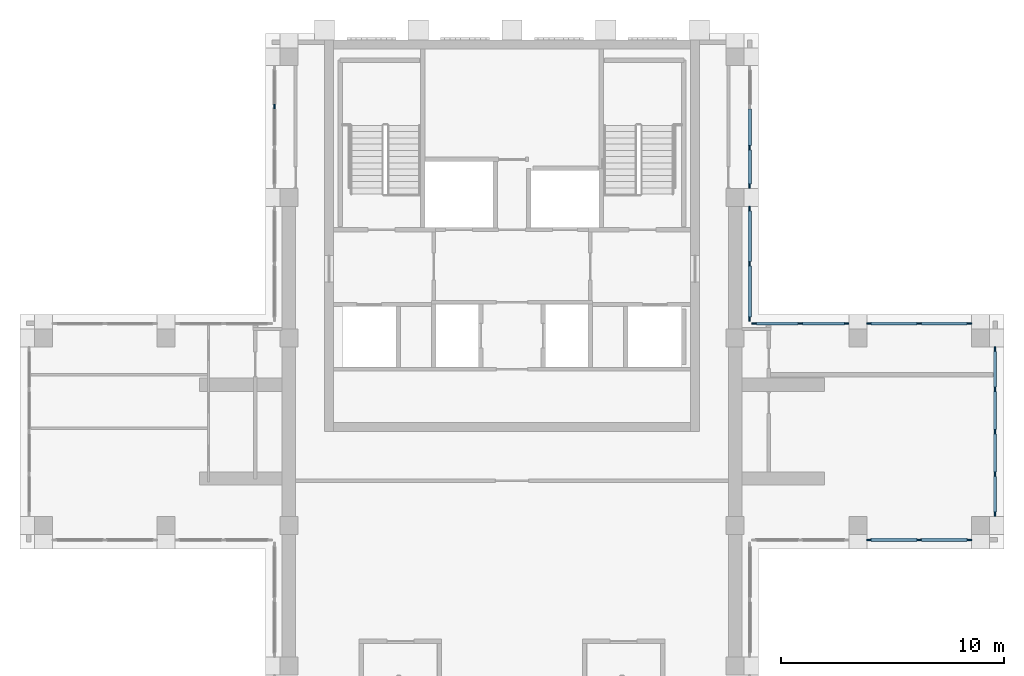
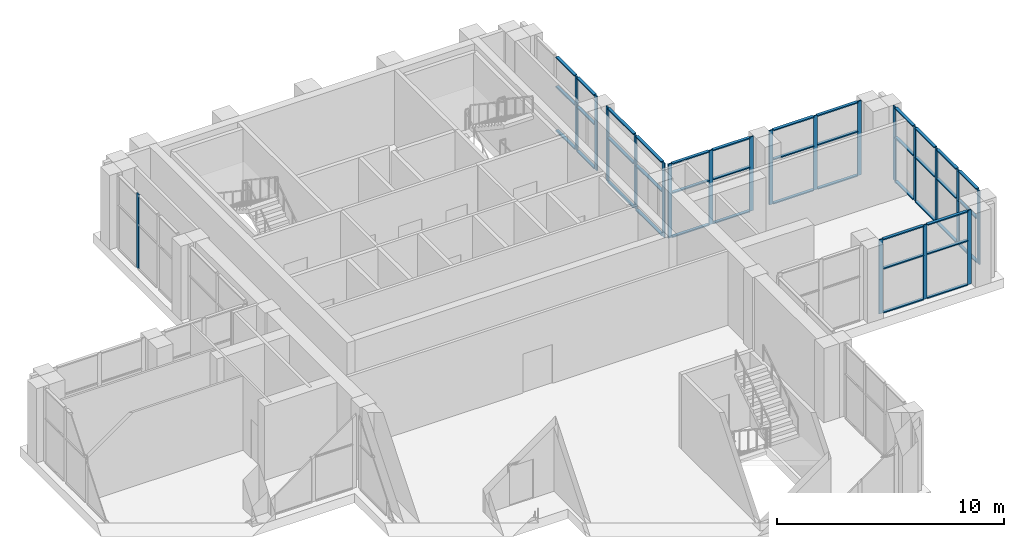
# One storey, part 5 of 15: 62 members, 7 elements without a shape of their own.
"""IFC4 building model written with IfcOpenShell, lengths in metres."""

from ifc_helpers import new_model, si_unit, direction, frame, origin, origin_2d, place, context, subcontext, project, spatial, rectangle, extrude, material, material_profile, profile_set, type_object, element, aggregate, save


model = new_model("IFC4")

# Units and contexts
model_context = context("Model", 3, precision=1e-05, world=origin(), true_north=direction((0.0, 1.0)))
body_context = subcontext(model_context, "Body", "Model", "MODEL_VIEW")
ifc_project = project(units=[si_unit("LENGTHUNIT", "METRE"), si_unit("AREAUNIT", "SQUARE_METRE"), si_unit("VOLUMEUNIT", "CUBIC_METRE"), si_unit("PLANEANGLEUNIT", "RADIAN"), si_unit("MASSUNIT", "GRAM", prefix="KILO")], contexts=[model_context])

# Site, building, storey
site_placement = place(None, origin())
site = spatial("IfcSite", under=ifc_project, at=site_placement, CompositionType="ELEMENT")
building_placement = place(site_placement, origin())
building = spatial("IfcBuilding", under=site, at=building_placement, Name="Vermilion Ogive Tower", CompositionType="ELEMENT")
storey_placement = place(building_placement, frame((0.0, 0.0, 293.85009765625)))
storey = spatial("IfcBuildingStorey", under=building, at=storey_placement, Name="L76", CompositionType="ELEMENT", Elevation=293.85009765625)

# Curtain wall, members
ifc_material_1 = material(Name="Low-iron laminated glazing in aluminium frame", Category="aluminium")
curtain_wall_type = type_object("IfcCurtainWallType", Name="Curtain wall CW3", PredefinedType="NOTDEFINED", material=ifc_material_1)
curtain_wall_1_placement = place(storey_placement, origin())
curtain_wall_1 = element("IfcCurtainWall", 1, at=curtain_wall_1_placement, inside=storey, type_object=curtain_wall_type, Name="CW3 glazing X22", PredefinedType="NOTDEFINED")
ifc_material_2 = material(Name="Aluminium mullion", Category="aluminium")
ifc_material_profile_1 = material_profile(ifc_material_2, rectangle(XDim=0.06005859375, YDim=0.199951171875, at=origin_2d()), Name="AL 60x200")
ifc_profile_set_1 = profile_set([ifc_material_profile_1], Name="Aluminium mullion")
member_type_1 = type_object("IfcMemberType", Name="CW3 mullion 60x200", PredefinedType="MULLION", material=ifc_profile_set_1)
member_1_placement = place(storey_placement, frame((16.0, -0.64990234375, 0.0), z_axis=(0.0, 0.0, 1.0), x_axis=(0.0, 1.0, 0.0)))
member_1 = element("IfcMember", 2, at=member_1_placement, type_object=member_type_1, Name="CW3-X22 mullion 1", PredefinedType="MULLION", context=body_context, shape_type="SweptSolid", body=[
    extrude(rectangle(XDim=0.06005859375, YDim=0.199951171875, at=origin_2d()), origin(), (0.0, 0.0, 1.0), 4.0),
])
member_2_placement = place(storey_placement, frame((18.25, -0.64990234375, 0.0), z_axis=(0.0, 0.0, 1.0), x_axis=(0.0, 1.0, 0.0)))
member_2 = element("IfcMember", 3, at=member_2_placement, type_object=member_type_1, Name="CW3-X22 mullion 2", PredefinedType="MULLION", context=body_context, shape_type="SweptSolid", body=[
    extrude(rectangle(XDim=0.06005859375, YDim=0.199951171875, at=origin_2d()), origin(), (0.0, 0.0, 1.0), 4.0),
])
member_3_placement = place(storey_placement, frame((20.5, -0.64990234375, 0.0), z_axis=(0.0, 0.0, 1.0), x_axis=(0.0, 1.0, 0.0)))
member_3 = element("IfcMember", 4, at=member_3_placement, type_object=member_type_1, Name="CW3-X22 mullion 3", PredefinedType="MULLION", context=body_context, shape_type="SweptSolid", body=[
    extrude(rectangle(XDim=0.06005859375, YDim=0.199951171875, at=origin_2d()), origin(), (0.0, 0.0, 1.0), 4.0),
])

curtain_wall_2_placement = place(storey_placement, origin())
curtain_wall_2 = element("IfcCurtainWall", 5, at=curtain_wall_2_placement, inside=storey, type_object=curtain_wall_type, Name="CW3 glazing E1", PredefinedType="NOTDEFINED")
member_4_placement = place(storey_placement, frame((21.64990234375, 0.5, 0.0), z_axis=(0.0, 0.0, 1.0), x_axis=(-1.0, 0.0, 0.0)))
member_4 = element("IfcMember", 6, at=member_4_placement, type_object=member_type_1, Name="CW3-E1 mullion 1", PredefinedType="MULLION", context=body_context, shape_type="SweptSolid", body=[
    extrude(rectangle(XDim=0.06005859375, YDim=0.199951171875, at=origin_2d()), origin(), (0.0, 0.0, 1.0), 4.0),
])
member_5_placement = place(storey_placement, frame((21.64990234375, 2.300048828125, 0.0), z_axis=(0.0, 0.0, 1.0), x_axis=(-1.0, 0.0, 0.0)))
member_5 = element("IfcMember", 7, at=member_5_placement, type_object=member_type_1, Name="CW3-E1 mullion 2", PredefinedType="MULLION", context=body_context, shape_type="SweptSolid", body=[
    extrude(rectangle(XDim=0.06005859375, YDim=0.199951171875, at=origin_2d()), origin(), (0.0, 0.0, 1.0), 4.0),
])
member_6_placement = place(storey_placement, frame((21.64990234375, 4.199951171875, 0.0), z_axis=(0.0, 0.0, 1.0), x_axis=(-1.0, 0.0, 0.0)))
member_6 = element("IfcMember", 8, at=member_6_placement, type_object=member_type_1, Name="CW3-E1 mullion 3", PredefinedType="MULLION", context=body_context, shape_type="SweptSolid", body=[
    extrude(rectangle(XDim=0.06005859375, YDim=0.199951171875, at=origin_2d()), origin(), (0.0, 0.0, 1.0), 4.0),
])
member_7_placement = place(storey_placement, frame((21.64990234375, 6.10009765625, 0.0), z_axis=(0.0, 0.0, 1.0), x_axis=(-1.0, 0.0, 0.0)))
member_7 = element("IfcMember", 9, at=member_7_placement, type_object=member_type_1, Name="CW3-E1 mullion 4", PredefinedType="MULLION", context=body_context, shape_type="SweptSolid", body=[
    extrude(rectangle(XDim=0.06005859375, YDim=0.199951171875, at=origin_2d()), origin(), (0.0, 0.0, 1.0), 4.0),
])
member_8_placement = place(storey_placement, frame((21.64990234375, 7.89990234375, 0.0), z_axis=(0.0, 0.0, 1.0), x_axis=(-1.0, 0.0, 0.0)))
member_8 = element("IfcMember", 10, at=member_8_placement, type_object=member_type_1, Name="CW3-E1 mullion 5", PredefinedType="MULLION", context=body_context, shape_type="SweptSolid", body=[
    extrude(rectangle(XDim=0.06005859375, YDim=0.199951171875, at=origin_2d()), origin(), (0.0, 0.0, 1.0), 4.0),
])

curtain_wall_3_placement = place(storey_placement, origin())
curtain_wall_3 = element("IfcCurtainWall", 11, at=curtain_wall_3_placement, inside=storey, type_object=curtain_wall_type, Name="CW3 glazing X31", PredefinedType="NOTDEFINED")
member_9_placement = place(storey_placement, frame((20.5, 9.050048828125, 0.0), z_axis=(0.0, 0.0, 1.0), x_axis=(0.0, -1.0, 0.0)))
member_9 = element("IfcMember", 12, at=member_9_placement, type_object=member_type_1, Name="CW3-X31 mullion 1", PredefinedType="MULLION", context=body_context, shape_type="SweptSolid", body=[
    extrude(rectangle(XDim=0.06005859375, YDim=0.199951171875, at=origin_2d()), origin(), (0.0, 0.0, 1.0), 4.0),
])
member_10_placement = place(storey_placement, frame((18.25, 9.050048828125, 0.0), z_axis=(0.0, 0.0, 1.0), x_axis=(0.0, -1.0, 0.0)))
member_10 = element("IfcMember", 13, at=member_10_placement, type_object=member_type_1, Name="CW3-X31 mullion 2", PredefinedType="MULLION", context=body_context, shape_type="SweptSolid", body=[
    extrude(rectangle(XDim=0.06005859375, YDim=0.199951171875, at=origin_2d()), origin(), (0.0, 0.0, 1.0), 4.0),
])
member_11_placement = place(storey_placement, frame((16.0, 9.050048828125, 0.0), z_axis=(0.0, 0.0, 1.0), x_axis=(0.0, -1.0, 0.0)))
member_11 = element("IfcMember", 14, at=member_11_placement, type_object=member_type_1, Name="CW3-X31 mullion 3", PredefinedType="MULLION", context=body_context, shape_type="SweptSolid", body=[
    extrude(rectangle(XDim=0.06005859375, YDim=0.199951171875, at=origin_2d()), origin(), (0.0, 0.0, 1.0), 4.0),
])

curtain_wall_4_placement = place(storey_placement, origin())
curtain_wall_4 = element("IfcCurtainWall", 15, at=curtain_wall_4_placement, inside=storey, type_object=curtain_wall_type, Name="CW3 glazing X32", PredefinedType="NOTDEFINED")
member_12_placement = place(storey_placement, frame((15.0, 9.050048828125, 0.0), z_axis=(0.0, 0.0, 1.0), x_axis=(0.0, -1.0, 0.0)))
member_12 = element("IfcMember", 16, at=member_12_placement, type_object=member_type_1, Name="CW3-X32 mullion 1", PredefinedType="MULLION", context=body_context, shape_type="SweptSolid", body=[
    extrude(rectangle(XDim=0.06005859375, YDim=0.199951171875, at=origin_2d()), origin(), (0.0, 0.0, 1.0), 4.0),
])
member_13_placement = place(storey_placement, frame((12.925048828125, 9.050048828125, 0.0), z_axis=(0.0, 0.0, 1.0), x_axis=(0.0, -1.0, 0.0)))
member_13 = element("IfcMember", 17, at=member_13_placement, type_object=member_type_1, Name="CW3-X32 mullion 2", PredefinedType="MULLION", context=body_context, shape_type="SweptSolid", body=[
    extrude(rectangle(XDim=0.06005859375, YDim=0.199951171875, at=origin_2d()), origin(), (0.0, 0.0, 1.0), 4.0),
])
member_14_placement = place(storey_placement, frame((10.85009765625, 9.050048828125, 0.0), z_axis=(0.0, 0.0, 1.0), x_axis=(0.0, -1.0, 0.0)))
member_14 = element("IfcMember", 18, at=member_14_placement, type_object=member_type_1, Name="CW3-X32 mullion 3", PredefinedType="MULLION", context=body_context, shape_type="SweptSolid", body=[
    extrude(rectangle(XDim=0.06005859375, YDim=0.199951171875, at=origin_2d()), origin(), (0.0, 0.0, 1.0), 4.0),
])

curtain_wall_5_placement = place(storey_placement, origin())
curtain_wall_5 = element("IfcCurtainWall", 19, at=curtain_wall_5_placement, inside=storey, type_object=curtain_wall_type, Name="CW3 glazing X41", PredefinedType="NOTDEFINED")
member_15_placement = place(storey_placement, frame((10.64990234375, 9.25, 0.0), z_axis=(0.0, 0.0, 1.0), x_axis=(-1.0, 0.0, 0.0)))
member_15 = element("IfcMember", 20, at=member_15_placement, type_object=member_type_1, Name="CW3-X41 mullion 1", PredefinedType="MULLION", context=body_context, shape_type="SweptSolid", body=[
    extrude(rectangle(XDim=0.06005859375, YDim=0.199951171875, at=origin_2d()), origin(), (0.0, 0.0, 1.0), 4.0),
])
member_16_placement = place(storey_placement, frame((10.64990234375, 11.72509765625, 0.0), z_axis=(0.0, 0.0, 1.0), x_axis=(-1.0, 0.0, 0.0)))
member_16 = element("IfcMember", 21, at=member_16_placement, type_object=member_type_1, Name="CW3-X41 mullion 2", PredefinedType="MULLION", context=body_context, shape_type="SweptSolid", body=[
    extrude(rectangle(XDim=0.06005859375, YDim=0.199951171875, at=origin_2d()), origin(), (0.0, 0.0, 1.0), 4.0),
])
member_17_placement = place(storey_placement, frame((10.64990234375, 14.199951171875, 0.0), z_axis=(0.0, 0.0, 1.0), x_axis=(-1.0, 0.0, 0.0)))
member_17 = element("IfcMember", 22, at=member_17_placement, type_object=member_type_1, Name="CW3-X41 mullion 3", PredefinedType="MULLION", context=body_context, shape_type="SweptSolid", body=[
    extrude(rectangle(XDim=0.06005859375, YDim=0.199951171875, at=origin_2d()), origin(), (0.0, 0.0, 1.0), 4.0),
])

curtain_wall_6_placement = place(storey_placement, origin())
curtain_wall_6 = element("IfcCurtainWall", 23, at=curtain_wall_6_placement, inside=storey, type_object=curtain_wall_type, Name="CW3 glazing X42", PredefinedType="NOTDEFINED")
member_18_placement = place(storey_placement, frame((10.64990234375, 15.199951171875, 0.0), z_axis=(0.0, 0.0, 1.0), x_axis=(-1.0, 0.0, 0.0)))
member_18 = element("IfcMember", 24, at=member_18_placement, type_object=member_type_1, Name="CW3-X42 mullion 1", PredefinedType="MULLION", context=body_context, shape_type="SweptSolid", body=[
    extrude(rectangle(XDim=0.06005859375, YDim=0.199951171875, at=origin_2d()), origin(), (0.0, 0.0, 1.0), 4.0),
])
member_19_placement = place(storey_placement, frame((10.64990234375, 16.933349609375, 0.0), z_axis=(0.0, 0.0, 1.0), x_axis=(-1.0, 0.0, 0.0)))
member_19 = element("IfcMember", 25, at=member_19_placement, type_object=member_type_1, Name="CW3-X42 mullion 2", PredefinedType="MULLION", context=body_context, shape_type="SweptSolid", body=[
    extrude(rectangle(XDim=0.06005859375, YDim=0.199951171875, at=origin_2d()), origin(), (0.0, 0.0, 1.0), 4.0),
])

# Curtain wall, member
curtain_wall_7_placement = place(storey_placement, origin())
curtain_wall_7 = element("IfcCurtainWall", 26, at=curtain_wall_7_placement, inside=storey, type_object=curtain_wall_type, Name="CW3 glazing X51", PredefinedType="NOTDEFINED")
member_20_placement = place(storey_placement, frame((-10.64990234375, 18.7666015625, 0.0), z_axis=(0.0, 0.0, 1.0), x_axis=(1.0, 0.0, 0.0)))
member_20 = element("IfcMember", 27, at=member_20_placement, type_object=member_type_1, Name="CW3-X51 mullion 2", PredefinedType="MULLION", context=body_context, shape_type="SweptSolid", body=[
    extrude(rectangle(XDim=0.06005859375, YDim=0.199951171875, at=origin_2d()), origin(), (0.0, 0.0, 1.0), 4.0),
])
aggregate(curtain_wall_7, [member_20])

# Member
ifc_material_3 = material(Name="Aluminium transom", Category="aluminium")
ifc_material_profile_2 = material_profile(ifc_material_3, rectangle(XDim=0.14990234375, YDim=0.06005859375, at=origin_2d()), Name="AL 60x150")
ifc_profile_set_2 = profile_set([ifc_material_profile_2], Name="Aluminium transom")
member_type_2 = type_object("IfcMemberType", Name="CW3 transom 60x150", PredefinedType="USERDEFINED", material=ifc_profile_set_2)
member_21_placement = place(storey_placement, frame((16.10009765625, -0.64990234375, 0.02978515625), z_axis=(1.0, 0.0, 0.0), x_axis=(0.0, 1.0, 0.0)))
member_21 = element("IfcMember", 28, at=member_21_placement, type_object=member_type_2, Name="CW3-X22 transom 1.1", ObjectType="TRANSOM", PredefinedType="USERDEFINED", context=body_context, shape_type="SweptSolid", body=[
    extrude(rectangle(XDim=0.14990234375, YDim=0.06005859375, at=origin_2d()), origin(), (0.0, 0.0, 1.0), 2.0498046875),
])

member_22_placement = place(storey_placement, frame((16.10009765625, -0.64990234375, 2.39990234375), z_axis=(1.0, 0.0, 0.0), x_axis=(0.0, 1.0, 0.0)))
member_22 = element("IfcMember", 29, at=member_22_placement, type_object=member_type_2, Name="CW3-X22 transom 1.2", ObjectType="TRANSOM", PredefinedType="USERDEFINED", context=body_context, shape_type="SweptSolid", body=[
    extrude(rectangle(XDim=0.14990234375, YDim=0.06005859375, at=origin_2d()), origin(), (0.0, 0.0, 1.0), 2.0498046875),
])

member_23_placement = place(storey_placement, frame((16.10009765625, -0.64990234375, 3.969970703125), z_axis=(1.0, 0.0, 0.0), x_axis=(0.0, 1.0, 0.0)))
member_23 = element("IfcMember", 30, at=member_23_placement, type_object=member_type_2, Name="CW3-X22 transom 1.3", ObjectType="TRANSOM", PredefinedType="USERDEFINED", context=body_context, shape_type="SweptSolid", body=[
    extrude(rectangle(XDim=0.14990234375, YDim=0.06005859375, at=origin_2d()), origin(), (0.0, 0.0, 1.0), 2.0498046875),
])

member_24_placement = place(storey_placement, frame((18.35009765625, -0.64990234375, 0.02978515625), z_axis=(1.0, 0.0, 0.0), x_axis=(0.0, 1.0, 0.0)))
member_24 = element("IfcMember", 31, at=member_24_placement, type_object=member_type_2, Name="CW3-X22 transom 2.1", ObjectType="TRANSOM", PredefinedType="USERDEFINED", context=body_context, shape_type="SweptSolid", body=[
    extrude(rectangle(XDim=0.14990234375, YDim=0.06005859375, at=origin_2d()), origin(), (0.0, 0.0, 1.0), 2.0498046875),
])

member_25_placement = place(storey_placement, frame((18.35009765625, -0.64990234375, 2.39990234375), z_axis=(1.0, 0.0, 0.0), x_axis=(0.0, 1.0, 0.0)))
member_25 = element("IfcMember", 32, at=member_25_placement, type_object=member_type_2, Name="CW3-X22 transom 2.2", ObjectType="TRANSOM", PredefinedType="USERDEFINED", context=body_context, shape_type="SweptSolid", body=[
    extrude(rectangle(XDim=0.14990234375, YDim=0.06005859375, at=origin_2d()), origin(), (0.0, 0.0, 1.0), 2.0498046875),
])

member_26_placement = place(storey_placement, frame((18.35009765625, -0.64990234375, 3.969970703125), z_axis=(1.0, 0.0, 0.0), x_axis=(0.0, 1.0, 0.0)))
member_26 = element("IfcMember", 33, at=member_26_placement, type_object=member_type_2, Name="CW3-X22 transom 2.3", ObjectType="TRANSOM", PredefinedType="USERDEFINED", context=body_context, shape_type="SweptSolid", body=[
    extrude(rectangle(XDim=0.14990234375, YDim=0.06005859375, at=origin_2d()), origin(), (0.0, 0.0, 1.0), 2.0498046875),
])

aggregate(curtain_wall_1, [member_1, member_2, member_3, member_21, member_22, member_23, member_24, member_25, member_26])

member_27_placement = place(storey_placement, frame((21.64990234375, 0.60009765625, 0.02978515625), z_axis=(0.0, 1.0, 0.0), x_axis=(-1.0, 0.0, 0.0)))
member_27 = element("IfcMember", 34, at=member_27_placement, type_object=member_type_2, Name="CW3-E1 transom 1.1", ObjectType="TRANSOM", PredefinedType="USERDEFINED", context=body_context, shape_type="SweptSolid", body=[
    extrude(rectangle(XDim=0.14990234375, YDim=0.06005859375, at=origin_2d()), origin(), (0.0, 0.0, 1.0), 1.599853515625),
])

member_28_placement = place(storey_placement, frame((21.64990234375, 0.60009765625, 2.39990234375), z_axis=(0.0, 1.0, 0.0), x_axis=(-1.0, 0.0, 0.0)))
member_28 = element("IfcMember", 35, at=member_28_placement, type_object=member_type_2, Name="CW3-E1 transom 1.2", ObjectType="TRANSOM", PredefinedType="USERDEFINED", context=body_context, shape_type="SweptSolid", body=[
    extrude(rectangle(XDim=0.14990234375, YDim=0.06005859375, at=origin_2d()), origin(), (0.0, 0.0, 1.0), 1.599853515625),
])

member_29_placement = place(storey_placement, frame((21.64990234375, 0.60009765625, 3.969970703125), z_axis=(0.0, 1.0, 0.0), x_axis=(-1.0, 0.0, 0.0)))
member_29 = element("IfcMember", 36, at=member_29_placement, type_object=member_type_2, Name="CW3-E1 transom 1.3", ObjectType="TRANSOM", PredefinedType="USERDEFINED", context=body_context, shape_type="SweptSolid", body=[
    extrude(rectangle(XDim=0.14990234375, YDim=0.06005859375, at=origin_2d()), origin(), (0.0, 0.0, 1.0), 1.599853515625),
])

member_30_placement = place(storey_placement, frame((21.64990234375, 2.39990234375, 0.02978515625), z_axis=(0.0, 1.0, 0.0), x_axis=(-1.0, 0.0, 0.0)))
member_30 = element("IfcMember", 37, at=member_30_placement, type_object=member_type_2, Name="CW3-E1 transom 2.1", ObjectType="TRANSOM", PredefinedType="USERDEFINED", context=body_context, shape_type="SweptSolid", body=[
    extrude(rectangle(XDim=0.14990234375, YDim=0.06005859375, at=origin_2d()), origin(), (0.0, 0.0, 1.0), 1.7001953125),
])

member_31_placement = place(storey_placement, frame((21.64990234375, 2.39990234375, 2.39990234375), z_axis=(0.0, 1.0, 0.0), x_axis=(-1.0, 0.0, 0.0)))
member_31 = element("IfcMember", 38, at=member_31_placement, type_object=member_type_2, Name="CW3-E1 transom 2.2", ObjectType="TRANSOM", PredefinedType="USERDEFINED", context=body_context, shape_type="SweptSolid", body=[
    extrude(rectangle(XDim=0.14990234375, YDim=0.06005859375, at=origin_2d()), origin(), (0.0, 0.0, 1.0), 1.7001953125),
])

member_32_placement = place(storey_placement, frame((21.64990234375, 2.39990234375, 3.969970703125), z_axis=(0.0, 1.0, 0.0), x_axis=(-1.0, 0.0, 0.0)))
member_32 = element("IfcMember", 39, at=member_32_placement, type_object=member_type_2, Name="CW3-E1 transom 2.3", ObjectType="TRANSOM", PredefinedType="USERDEFINED", context=body_context, shape_type="SweptSolid", body=[
    extrude(rectangle(XDim=0.14990234375, YDim=0.06005859375, at=origin_2d()), origin(), (0.0, 0.0, 1.0), 1.7001953125),
])

member_33_placement = place(storey_placement, frame((21.64990234375, 4.300048828125, 0.02978515625), z_axis=(0.0, 1.0, 0.0), x_axis=(-1.0, 0.0, 0.0)))
member_33 = element("IfcMember", 40, at=member_33_placement, type_object=member_type_2, Name="CW3-E1 transom 3.1", ObjectType="TRANSOM", PredefinedType="USERDEFINED", context=body_context, shape_type="SweptSolid", body=[
    extrude(rectangle(XDim=0.14990234375, YDim=0.06005859375, at=origin_2d()), origin(), (0.0, 0.0, 1.0), 1.699951171875),
])

member_34_placement = place(storey_placement, frame((21.64990234375, 4.300048828125, 2.39990234375), z_axis=(0.0, 1.0, 0.0), x_axis=(-1.0, 0.0, 0.0)))
member_34 = element("IfcMember", 41, at=member_34_placement, type_object=member_type_2, Name="CW3-E1 transom 3.2", ObjectType="TRANSOM", PredefinedType="USERDEFINED", context=body_context, shape_type="SweptSolid", body=[
    extrude(rectangle(XDim=0.14990234375, YDim=0.06005859375, at=origin_2d()), origin(), (0.0, 0.0, 1.0), 1.699951171875),
])

member_35_placement = place(storey_placement, frame((21.64990234375, 4.300048828125, 3.969970703125), z_axis=(0.0, 1.0, 0.0), x_axis=(-1.0, 0.0, 0.0)))
member_35 = element("IfcMember", 42, at=member_35_placement, type_object=member_type_2, Name="CW3-E1 transom 3.3", ObjectType="TRANSOM", PredefinedType="USERDEFINED", context=body_context, shape_type="SweptSolid", body=[
    extrude(rectangle(XDim=0.14990234375, YDim=0.06005859375, at=origin_2d()), origin(), (0.0, 0.0, 1.0), 1.699951171875),
])

member_36_placement = place(storey_placement, frame((21.64990234375, 6.199951171875, 0.02978515625), z_axis=(0.0, 1.0, 0.0), x_axis=(-1.0, 0.0, 0.0)))
member_36 = element("IfcMember", 43, at=member_36_placement, type_object=member_type_2, Name="CW3-E1 transom 4.1", ObjectType="TRANSOM", PredefinedType="USERDEFINED", context=body_context, shape_type="SweptSolid", body=[
    extrude(rectangle(XDim=0.14990234375, YDim=0.06005859375, at=origin_2d()), origin(), (0.0, 0.0, 1.0), 1.60009765625),
])

member_37_placement = place(storey_placement, frame((21.64990234375, 6.199951171875, 2.39990234375), z_axis=(0.0, 1.0, 0.0), x_axis=(-1.0, 0.0, 0.0)))
member_37 = element("IfcMember", 44, at=member_37_placement, type_object=member_type_2, Name="CW3-E1 transom 4.2", ObjectType="TRANSOM", PredefinedType="USERDEFINED", context=body_context, shape_type="SweptSolid", body=[
    extrude(rectangle(XDim=0.14990234375, YDim=0.06005859375, at=origin_2d()), origin(), (0.0, 0.0, 1.0), 1.60009765625),
])

member_38_placement = place(storey_placement, frame((21.64990234375, 6.199951171875, 3.969970703125), z_axis=(0.0, 1.0, 0.0), x_axis=(-1.0, 0.0, 0.0)))
member_38 = element("IfcMember", 45, at=member_38_placement, type_object=member_type_2, Name="CW3-E1 transom 4.3", ObjectType="TRANSOM", PredefinedType="USERDEFINED", context=body_context, shape_type="SweptSolid", body=[
    extrude(rectangle(XDim=0.14990234375, YDim=0.06005859375, at=origin_2d()), origin(), (0.0, 0.0, 1.0), 1.60009765625),
])

aggregate(curtain_wall_2, [member_4, member_5, member_6, member_7, member_8, member_27, member_28, member_29, member_30, member_31, member_32, member_33, member_34, member_35, member_36, member_37, member_38])

member_39_placement = place(storey_placement, frame((20.39990234375, 9.050048828125, 0.02978515625), z_axis=(-1.0, 0.0, 0.0), x_axis=(0.0, -1.0, 0.0)))
member_39 = element("IfcMember", 46, at=member_39_placement, type_object=member_type_2, Name="CW3-X31 transom 1.1", ObjectType="TRANSOM", PredefinedType="USERDEFINED", context=body_context, shape_type="SweptSolid", body=[
    extrude(rectangle(XDim=0.14990234375, YDim=0.06005859375, at=origin_2d()), origin(), (0.0, 0.0, 1.0), 2.0498046875),
])

member_40_placement = place(storey_placement, frame((20.39990234375, 9.050048828125, 2.39990234375), z_axis=(-1.0, 0.0, 0.0), x_axis=(0.0, -1.0, 0.0)))
member_40 = element("IfcMember", 47, at=member_40_placement, type_object=member_type_2, Name="CW3-X31 transom 1.2", ObjectType="TRANSOM", PredefinedType="USERDEFINED", context=body_context, shape_type="SweptSolid", body=[
    extrude(rectangle(XDim=0.14990234375, YDim=0.06005859375, at=origin_2d()), origin(), (0.0, 0.0, 1.0), 2.0498046875),
])

member_41_placement = place(storey_placement, frame((20.39990234375, 9.050048828125, 3.969970703125), z_axis=(-1.0, 0.0, 0.0), x_axis=(0.0, -1.0, 0.0)))
member_41 = element("IfcMember", 48, at=member_41_placement, type_object=member_type_2, Name="CW3-X31 transom 1.3", ObjectType="TRANSOM", PredefinedType="USERDEFINED", context=body_context, shape_type="SweptSolid", body=[
    extrude(rectangle(XDim=0.14990234375, YDim=0.06005859375, at=origin_2d()), origin(), (0.0, 0.0, 1.0), 2.0498046875),
])

member_42_placement = place(storey_placement, frame((18.14990234375, 9.050048828125, 0.02978515625), z_axis=(-1.0, 0.0, 0.0), x_axis=(0.0, -1.0, 0.0)))
member_42 = element("IfcMember", 49, at=member_42_placement, type_object=member_type_2, Name="CW3-X31 transom 2.1", ObjectType="TRANSOM", PredefinedType="USERDEFINED", context=body_context, shape_type="SweptSolid", body=[
    extrude(rectangle(XDim=0.14990234375, YDim=0.06005859375, at=origin_2d()), origin(), (0.0, 0.0, 1.0), 2.0498046875),
])

member_43_placement = place(storey_placement, frame((18.14990234375, 9.050048828125, 2.39990234375), z_axis=(-1.0, 0.0, 0.0), x_axis=(0.0, -1.0, 0.0)))
member_43 = element("IfcMember", 50, at=member_43_placement, type_object=member_type_2, Name="CW3-X31 transom 2.2", ObjectType="TRANSOM", PredefinedType="USERDEFINED", context=body_context, shape_type="SweptSolid", body=[
    extrude(rectangle(XDim=0.14990234375, YDim=0.06005859375, at=origin_2d()), origin(), (0.0, 0.0, 1.0), 2.0498046875),
])

member_44_placement = place(storey_placement, frame((18.14990234375, 9.050048828125, 3.969970703125), z_axis=(-1.0, 0.0, 0.0), x_axis=(0.0, -1.0, 0.0)))
member_44 = element("IfcMember", 51, at=member_44_placement, type_object=member_type_2, Name="CW3-X31 transom 2.3", ObjectType="TRANSOM", PredefinedType="USERDEFINED", context=body_context, shape_type="SweptSolid", body=[
    extrude(rectangle(XDim=0.14990234375, YDim=0.06005859375, at=origin_2d()), origin(), (0.0, 0.0, 1.0), 2.0498046875),
])

aggregate(curtain_wall_3, [member_9, member_10, member_11, member_39, member_40, member_41, member_42, member_43, member_44])

member_45_placement = place(storey_placement, frame((14.89990234375, 9.050048828125, 0.02978515625), z_axis=(-1.0, 0.0, 0.0), x_axis=(0.0, -1.0, 0.0)))
member_45 = element("IfcMember", 52, at=member_45_placement, type_object=member_type_2, Name="CW3-X32 transom 1.1", ObjectType="TRANSOM", PredefinedType="USERDEFINED", context=body_context, shape_type="SweptSolid", body=[
    extrude(rectangle(XDim=0.14990234375, YDim=0.06005859375, at=origin_2d()), origin(), (0.0, 0.0, 1.0), 1.875),
])

member_46_placement = place(storey_placement, frame((14.89990234375, 9.050048828125, 2.39990234375), z_axis=(-1.0, 0.0, 0.0), x_axis=(0.0, -1.0, 0.0)))
member_46 = element("IfcMember", 53, at=member_46_placement, type_object=member_type_2, Name="CW3-X32 transom 1.2", ObjectType="TRANSOM", PredefinedType="USERDEFINED", context=body_context, shape_type="SweptSolid", body=[
    extrude(rectangle(XDim=0.14990234375, YDim=0.06005859375, at=origin_2d()), origin(), (0.0, 0.0, 1.0), 1.875),
])

member_47_placement = place(storey_placement, frame((14.89990234375, 9.050048828125, 3.969970703125), z_axis=(-1.0, 0.0, 0.0), x_axis=(0.0, -1.0, 0.0)))
member_47 = element("IfcMember", 54, at=member_47_placement, type_object=member_type_2, Name="CW3-X32 transom 1.3", ObjectType="TRANSOM", PredefinedType="USERDEFINED", context=body_context, shape_type="SweptSolid", body=[
    extrude(rectangle(XDim=0.14990234375, YDim=0.06005859375, at=origin_2d()), origin(), (0.0, 0.0, 1.0), 1.875),
])

member_48_placement = place(storey_placement, frame((12.824951171875, 9.050048828125, 0.02978515625), z_axis=(-1.0, 0.0, 0.0), x_axis=(0.0, -1.0, 0.0)))
member_48 = element("IfcMember", 55, at=member_48_placement, type_object=member_type_2, Name="CW3-X32 transom 2.1", ObjectType="TRANSOM", PredefinedType="USERDEFINED", context=body_context, shape_type="SweptSolid", body=[
    extrude(rectangle(XDim=0.14990234375, YDim=0.06005859375, at=origin_2d()), origin(), (0.0, 0.0, 1.0), 1.875),
])

member_49_placement = place(storey_placement, frame((12.824951171875, 9.050048828125, 2.39990234375), z_axis=(-1.0, 0.0, 0.0), x_axis=(0.0, -1.0, 0.0)))
member_49 = element("IfcMember", 56, at=member_49_placement, type_object=member_type_2, Name="CW3-X32 transom 2.2", ObjectType="TRANSOM", PredefinedType="USERDEFINED", context=body_context, shape_type="SweptSolid", body=[
    extrude(rectangle(XDim=0.14990234375, YDim=0.06005859375, at=origin_2d()), origin(), (0.0, 0.0, 1.0), 1.875),
])

member_50_placement = place(storey_placement, frame((12.824951171875, 9.050048828125, 3.969970703125), z_axis=(-1.0, 0.0, 0.0), x_axis=(0.0, -1.0, 0.0)))
member_50 = element("IfcMember", 57, at=member_50_placement, type_object=member_type_2, Name="CW3-X32 transom 2.3", ObjectType="TRANSOM", PredefinedType="USERDEFINED", context=body_context, shape_type="SweptSolid", body=[
    extrude(rectangle(XDim=0.14990234375, YDim=0.06005859375, at=origin_2d()), origin(), (0.0, 0.0, 1.0), 1.875),
])

aggregate(curtain_wall_4, [member_12, member_13, member_14, member_45, member_46, member_47, member_48, member_49, member_50])

member_51_placement = place(storey_placement, frame((10.64990234375, 9.35009765625, 0.02978515625), z_axis=(0.0, 1.0, 0.0), x_axis=(-1.0, 0.0, 0.0)))
member_51 = element("IfcMember", 58, at=member_51_placement, type_object=member_type_2, Name="CW3-X41 transom 1.1", ObjectType="TRANSOM", PredefinedType="USERDEFINED", context=body_context, shape_type="SweptSolid", body=[
    extrude(rectangle(XDim=0.14990234375, YDim=0.06005859375, at=origin_2d()), origin(), (0.0, 0.0, 1.0), 2.27490234375),
])

member_52_placement = place(storey_placement, frame((10.64990234375, 9.35009765625, 2.39990234375), z_axis=(0.0, 1.0, 0.0), x_axis=(-1.0, 0.0, 0.0)))
member_52 = element("IfcMember", 59, at=member_52_placement, type_object=member_type_2, Name="CW3-X41 transom 1.2", ObjectType="TRANSOM", PredefinedType="USERDEFINED", context=body_context, shape_type="SweptSolid", body=[
    extrude(rectangle(XDim=0.14990234375, YDim=0.06005859375, at=origin_2d()), origin(), (0.0, 0.0, 1.0), 2.27490234375),
])

member_53_placement = place(storey_placement, frame((10.64990234375, 9.35009765625, 3.969970703125), z_axis=(0.0, 1.0, 0.0), x_axis=(-1.0, 0.0, 0.0)))
member_53 = element("IfcMember", 60, at=member_53_placement, type_object=member_type_2, Name="CW3-X41 transom 1.3", ObjectType="TRANSOM", PredefinedType="USERDEFINED", context=body_context, shape_type="SweptSolid", body=[
    extrude(rectangle(XDim=0.14990234375, YDim=0.06005859375, at=origin_2d()), origin(), (0.0, 0.0, 1.0), 2.27490234375),
])

member_54_placement = place(storey_placement, frame((10.64990234375, 11.824951171875, 0.02978515625), z_axis=(0.0, 1.0, 0.0), x_axis=(-1.0, 0.0, 0.0)))
member_54 = element("IfcMember", 61, at=member_54_placement, type_object=member_type_2, Name="CW3-X41 transom 2.1", ObjectType="TRANSOM", PredefinedType="USERDEFINED", context=body_context, shape_type="SweptSolid", body=[
    extrude(rectangle(XDim=0.14990234375, YDim=0.06005859375, at=origin_2d()), origin(), (0.0, 0.0, 1.0), 2.275146484375),
])

member_55_placement = place(storey_placement, frame((10.64990234375, 11.824951171875, 2.39990234375), z_axis=(0.0, 1.0, 0.0), x_axis=(-1.0, 0.0, 0.0)))
member_55 = element("IfcMember", 62, at=member_55_placement, type_object=member_type_2, Name="CW3-X41 transom 2.2", ObjectType="TRANSOM", PredefinedType="USERDEFINED", context=body_context, shape_type="SweptSolid", body=[
    extrude(rectangle(XDim=0.14990234375, YDim=0.06005859375, at=origin_2d()), origin(), (0.0, 0.0, 1.0), 2.275146484375),
])

member_56_placement = place(storey_placement, frame((10.64990234375, 11.824951171875, 3.969970703125), z_axis=(0.0, 1.0, 0.0), x_axis=(-1.0, 0.0, 0.0)))
member_56 = element("IfcMember", 63, at=member_56_placement, type_object=member_type_2, Name="CW3-X41 transom 2.3", ObjectType="TRANSOM", PredefinedType="USERDEFINED", context=body_context, shape_type="SweptSolid", body=[
    extrude(rectangle(XDim=0.14990234375, YDim=0.06005859375, at=origin_2d()), origin(), (0.0, 0.0, 1.0), 2.275146484375),
])

aggregate(curtain_wall_5, [member_15, member_16, member_17, member_51, member_52, member_53, member_54, member_55, member_56])

member_57_placement = place(storey_placement, frame((10.64990234375, 15.300048828125, 0.02978515625), z_axis=(0.0, 1.0, 0.0), x_axis=(-1.0, 0.0, 0.0)))
member_57 = element("IfcMember", 64, at=member_57_placement, type_object=member_type_2, Name="CW3-X42 transom 1.1", ObjectType="TRANSOM", PredefinedType="USERDEFINED", context=body_context, shape_type="SweptSolid", body=[
    extrude(rectangle(XDim=0.14990234375, YDim=0.06005859375, at=origin_2d()), origin(), (0.0, 0.0, 1.0), 1.533203125),
])

member_58_placement = place(storey_placement, frame((10.64990234375, 15.300048828125, 2.39990234375), z_axis=(0.0, 1.0, 0.0), x_axis=(-1.0, 0.0, 0.0)))
member_58 = element("IfcMember", 65, at=member_58_placement, type_object=member_type_2, Name="CW3-X42 transom 1.2", ObjectType="TRANSOM", PredefinedType="USERDEFINED", context=body_context, shape_type="SweptSolid", body=[
    extrude(rectangle(XDim=0.14990234375, YDim=0.06005859375, at=origin_2d()), origin(), (0.0, 0.0, 1.0), 1.533203125),
])

member_59_placement = place(storey_placement, frame((10.64990234375, 15.300048828125, 3.969970703125), z_axis=(0.0, 1.0, 0.0), x_axis=(-1.0, 0.0, 0.0)))
member_59 = element("IfcMember", 66, at=member_59_placement, type_object=member_type_2, Name="CW3-X42 transom 1.3", ObjectType="TRANSOM", PredefinedType="USERDEFINED", context=body_context, shape_type="SweptSolid", body=[
    extrude(rectangle(XDim=0.14990234375, YDim=0.06005859375, at=origin_2d()), origin(), (0.0, 0.0, 1.0), 1.533203125),
])

member_60_placement = place(storey_placement, frame((10.64990234375, 17.033447265625, 0.02978515625), z_axis=(0.0, 1.0, 0.0), x_axis=(-1.0, 0.0, 0.0)))
member_60 = element("IfcMember", 67, at=member_60_placement, type_object=member_type_2, Name="CW3-X42 transom 2.1", ObjectType="TRANSOM", PredefinedType="USERDEFINED", context=body_context, shape_type="SweptSolid", body=[
    extrude(rectangle(XDim=0.14990234375, YDim=0.06005859375, at=origin_2d()), origin(), (0.0, 0.0, 1.0), 1.63330078125),
])

member_61_placement = place(storey_placement, frame((10.64990234375, 17.033447265625, 2.39990234375), z_axis=(0.0, 1.0, 0.0), x_axis=(-1.0, 0.0, 0.0)))
member_61 = element("IfcMember", 68, at=member_61_placement, type_object=member_type_2, Name="CW3-X42 transom 2.2", ObjectType="TRANSOM", PredefinedType="USERDEFINED", context=body_context, shape_type="SweptSolid", body=[
    extrude(rectangle(XDim=0.14990234375, YDim=0.06005859375, at=origin_2d()), origin(), (0.0, 0.0, 1.0), 1.63330078125),
])

member_62_placement = place(storey_placement, frame((10.64990234375, 17.033447265625, 3.969970703125), z_axis=(0.0, 1.0, 0.0), x_axis=(-1.0, 0.0, 0.0)))
member_62 = element("IfcMember", 69, at=member_62_placement, type_object=member_type_2, Name="CW3-X42 transom 2.3", ObjectType="TRANSOM", PredefinedType="USERDEFINED", context=body_context, shape_type="SweptSolid", body=[
    extrude(rectangle(XDim=0.14990234375, YDim=0.06005859375, at=origin_2d()), origin(), (0.0, 0.0, 1.0), 1.63330078125),
])

aggregate(curtain_wall_6, [member_18, member_19, member_57, member_58, member_59, member_60, member_61, member_62])

save(model, "model.ifc")
